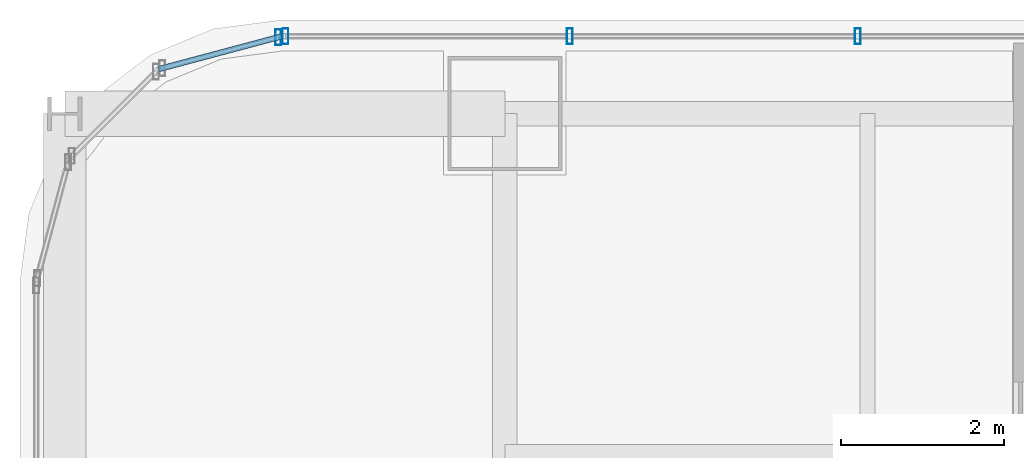
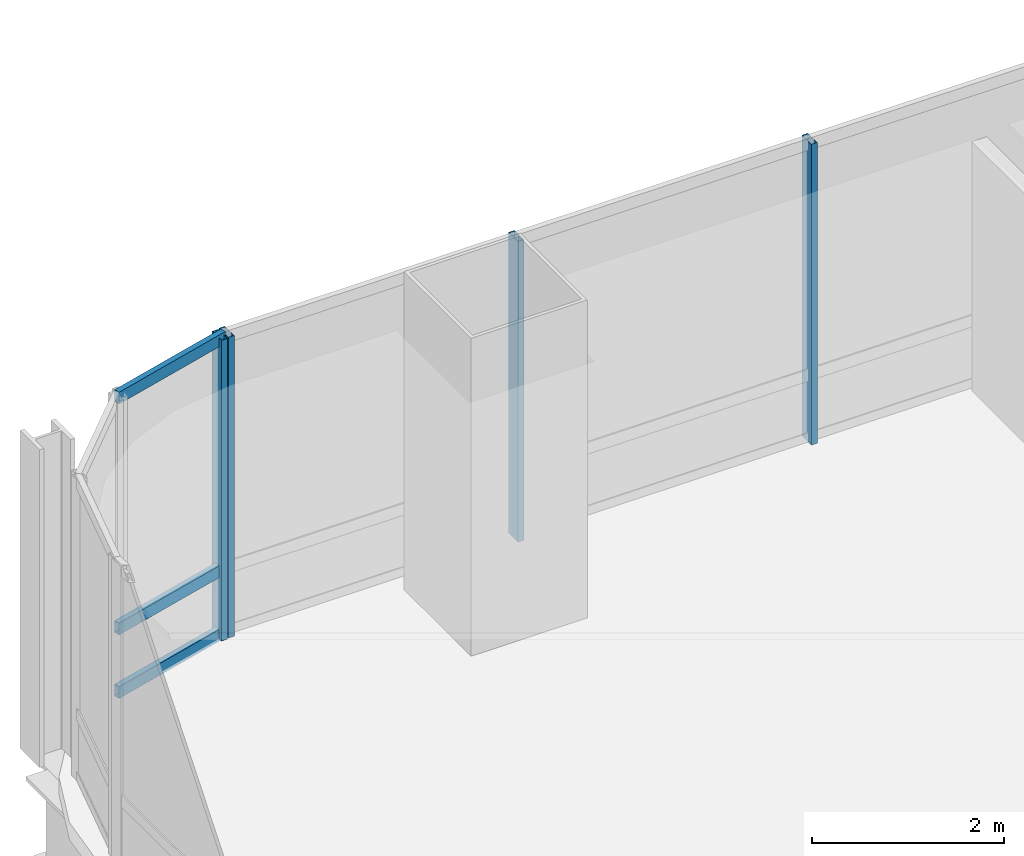
# One storey, part 20 of 36: 7 members, 2 elements without a shape of their own.
"""IFC4 building model written with IfcOpenShell, lengths in metres."""

from ifc_helpers import new_model, si_unit, direction, frame, origin, origin_2d, place, context, subcontext, project, spatial, hollow_rectangle, extrude, material, material_profile, profile_set, type_object, element, aggregate, save


model = new_model("IFC4")

# Units and contexts
model_context = context("Model", 3, precision=1e-05, world=origin(), true_north=direction((0.0, 1.0)))
body_context = subcontext(model_context, "Body", "Model", "MODEL_VIEW")
ifc_project = project(units=[si_unit("LENGTHUNIT", "METRE"), si_unit("AREAUNIT", "SQUARE_METRE"), si_unit("VOLUMEUNIT", "CUBIC_METRE"), si_unit("PLANEANGLEUNIT", "RADIAN"), si_unit("MASSUNIT", "GRAM", prefix="KILO")], contexts=[model_context])

# Site, building, storey
site_placement = place(None, origin())
site = spatial("IfcSite", under=ifc_project, at=site_placement, CompositionType="ELEMENT")
building_placement = place(site_placement, origin())
building = spatial("IfcBuilding", under=site, at=building_placement, Name="Punatoya Terracotta Tower", CompositionType="ELEMENT")
storey_placement = place(building_placement, frame((0.0, 0.0, 176.25)))
storey = spatial("IfcBuildingStorey", under=building, at=storey_placement, Name="L41", CompositionType="ELEMENT", Elevation=176.25)

# Curtain wall, members
ifc_material_1 = material(Name="Aluminium 6063-T6 + Double Low-E Glass", Category="aluminium")
curtain_wall_type = type_object("IfcCurtainWallType", Name="CW-M2", PredefinedType="NOTDEFINED", material=ifc_material_1)
curtain_wall_1_placement = place(storey_placement, origin())
curtain_wall_1 = element("IfcCurtainWall", 1, at=curtain_wall_1_placement, inside=storey, type_object=curtain_wall_type, Name="L41 Curtain Wall CW-L41-N09-1", PredefinedType="NOTDEFINED")
ifc_material_2 = material(Name="Aluminium 6063-T6", Category="aluminium")
ifc_material_profile_1 = material_profile(ifc_material_2, hollow_rectangle(XDim=0.072021484375, YDim=0.195068359375, WallThickness=0.00439453125, at=origin_2d()))
ifc_profile_set_1 = profile_set([ifc_material_profile_1], Name="Aluminium 6063-T6")
member_type_1 = type_object("IfcMemberType", Name="CW-MUL-M2", PredefinedType="MULLION", material=ifc_profile_set_1)
member_1_placement = place(storey_placement, frame((-14.768798828125, 18.449951171875, 0.0), z_axis=(0.0, 0.0, 1.0), x_axis=(1.0, 0.0, 0.0)))
member_1 = element("IfcMember", 2, at=member_1_placement, type_object=member_type_1, Name="CW-L41-N09-1 Mullion 09", PredefinedType="MULLION", context=body_context, shape_type="SweptSolid", body=[
    extrude(hollow_rectangle(XDim=0.072021484375, YDim=0.195068359375, WallThickness=0.00439453125, at=origin_2d()), origin(), (0.0, 0.0, 1.0), 3.830078125),
])
member_2_placement = place(storey_placement, frame((-18.302978515625, 18.449951171875, 0.0), z_axis=(0.0, 0.0, 1.0), x_axis=(1.0, 0.0, 0.0)))
member_2 = element("IfcMember", 3, at=member_2_placement, type_object=member_type_1, Name="CW-L41-N09-1 Mullion 10", PredefinedType="MULLION", context=body_context, shape_type="SweptSolid", body=[
    extrude(hollow_rectangle(XDim=0.072021484375, YDim=0.195068359375, WallThickness=0.00439453125, at=origin_2d()), origin(), (0.0, 0.0, 1.0), 3.830078125),
])
member_3_placement = place(storey_placement, frame((-21.7919921875, 18.449951171875, 0.0), z_axis=(0.0, 0.0, 1.0), x_axis=(1.0, 0.0, 0.0)))
member_3 = element("IfcMember", 4, at=member_3_placement, type_object=member_type_1, Name="CW-L41-N09-1 Mullion 11", PredefinedType="MULLION", context=body_context, shape_type="SweptSolid", body=[
    extrude(hollow_rectangle(XDim=0.072021484375, YDim=0.195068359375, WallThickness=0.00439453125, at=origin_2d()), origin(), (0.0, 0.0, 1.0), 3.830078125),
])
aggregate(curtain_wall_1, [member_1, member_2, member_3])

curtain_wall_2_placement = place(storey_placement, origin())
curtain_wall_2 = element("IfcCurtainWall", 5, at=curtain_wall_2_placement, inside=storey, type_object=curtain_wall_type, Name="L41 Curtain Wall CW-L41-CRN10", PredefinedType="NOTDEFINED")
member_4_placement = place(storey_placement, frame((-21.88037109375, 18.4384765625, 0.0), z_axis=(0.0, 0.0, 1.0), x_axis=(1.0, 0.0, 0.0)))
member_4 = element("IfcMember", 6, at=member_4_placement, type_object=member_type_1, Name="CW-L41-CRN10 Mullion 00", PredefinedType="MULLION", context=body_context, shape_type="SweptSolid", body=[
    extrude(hollow_rectangle(XDim=0.072021484375, YDim=0.195068359375, WallThickness=0.00439453125, at=origin_2d()), origin(), (0.0, 0.0, 1.0), 3.830078125),
])
ifc_material_profile_2 = material_profile(ifc_material_2, hollow_rectangle(XDim=0.068115234375, YDim=0.14990234375, WallThickness=0.00390625, at=origin_2d()))
ifc_profile_set_2 = profile_set([ifc_material_profile_2], Name="Aluminium 6063-T6")
member_type_2 = type_object("IfcMemberType", Name="CW-TRN-TYP", PredefinedType="USERDEFINED", material=ifc_profile_set_2)
member_5_placement = place(storey_placement, frame((-21.8369140625, 18.449951171875, 0.0400390625), z_axis=(-0.966224582397, -0.257701486942, 0.0), x_axis=(0.257701486942, -0.966224582397, 0.0)))
member_5 = element("IfcMember", 7, at=member_5_placement, type_object=member_type_2, Name="CW-L41-CRN10 Transom 1", ObjectType="TRANSOM", PredefinedType="USERDEFINED", context=body_context, shape_type="SweptSolid", body=[
    extrude(hollow_rectangle(XDim=0.068115234375, YDim=0.14990234375, WallThickness=0.00390625, at=origin_2d()), origin(), (0.0, 0.0, 1.0), 1.565185546875),
])
member_6_placement = place(storey_placement, frame((-21.8369140625, 18.449951171875, 0.85009765625), z_axis=(-0.966224582397, -0.257701486942, 0.0), x_axis=(0.257701486942, -0.966224582397, 0.0)))
member_6 = element("IfcMember", 8, at=member_6_placement, type_object=member_type_2, Name="CW-L41-CRN10 Transom 2", ObjectType="TRANSOM", PredefinedType="USERDEFINED", context=body_context, shape_type="SweptSolid", body=[
    extrude(hollow_rectangle(XDim=0.068115234375, YDim=0.14990234375, WallThickness=0.00390625, at=origin_2d()), origin(), (0.0, 0.0, 1.0), 1.565185546875),
])
member_7_placement = place(storey_placement, frame((-21.8369140625, 18.449951171875, 3.7900390625), z_axis=(-0.966224582397, -0.257701486942, 0.0), x_axis=(0.257701486942, -0.966224582397, 0.0)))
member_7 = element("IfcMember", 9, at=member_7_placement, type_object=member_type_2, Name="CW-L41-CRN10 Transom 3", ObjectType="TRANSOM", PredefinedType="USERDEFINED", context=body_context, shape_type="SweptSolid", body=[
    extrude(hollow_rectangle(XDim=0.068115234375, YDim=0.14990234375, WallThickness=0.00390625, at=origin_2d()), origin(), (0.0, 0.0, 1.0), 1.565185546875),
])
aggregate(curtain_wall_2, [member_4, member_5, member_6, member_7])

save(model, "model.ifc")
